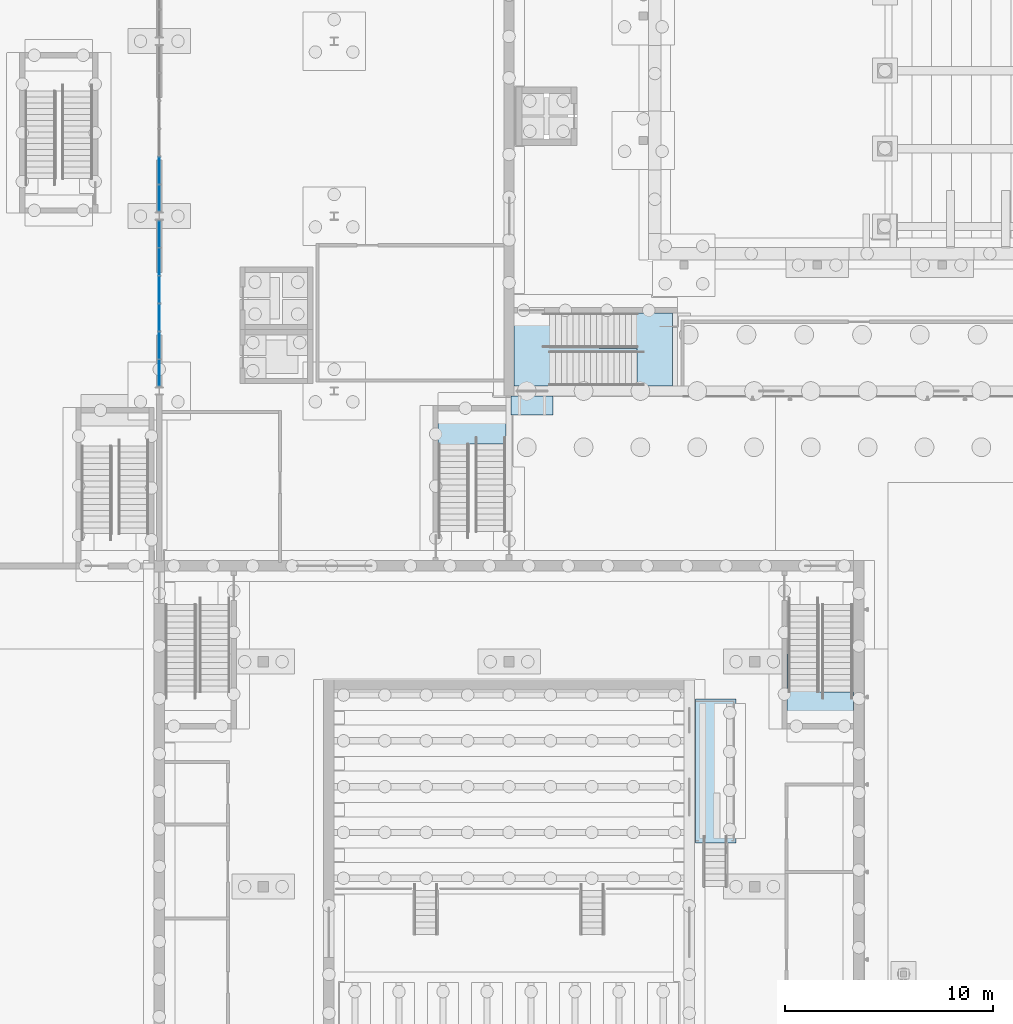
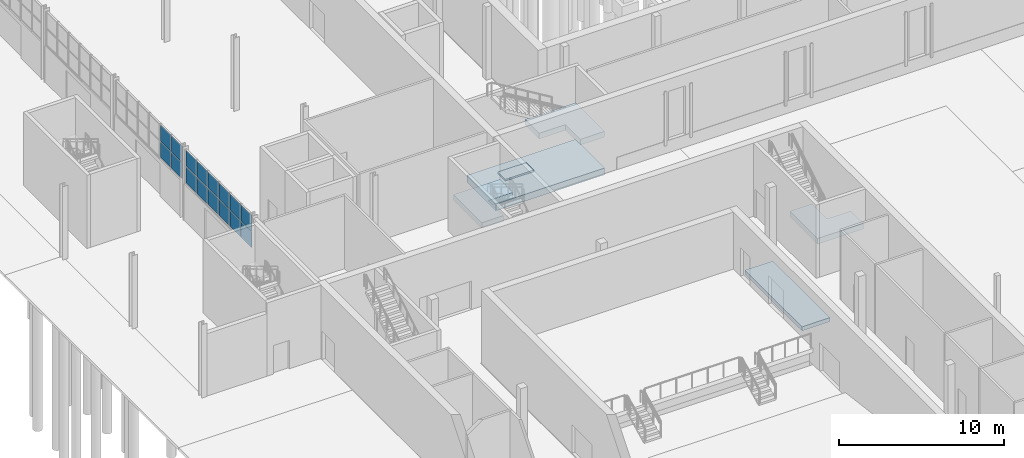
# One storey, part 47 of 127: 16 plates, 6 slabs, 5 elements without a shape of their own.
"""IFC4 building model written with IfcOpenShell, lengths in metres."""

from ifc_helpers import new_model, si_unit, direction, frame, origin, origin_2d, place, context, subcontext, project, spatial, polyline, rectangle, outline, extrude, material, layer, layer_set, type_object, element, aggregate, save


model = new_model("IFC4")

# Units and contexts
model_context = context("Model", 3, precision=1e-05, world=origin(), true_north=direction((0.0, 1.0)))
body_context = subcontext(model_context, "Body", "Model", "MODEL_VIEW")
ifc_project = project(units=[si_unit("LENGTHUNIT", "METRE"), si_unit("AREAUNIT", "SQUARE_METRE"), si_unit("VOLUMEUNIT", "CUBIC_METRE"), si_unit("PLANEANGLEUNIT", "RADIAN"), si_unit("MASSUNIT", "GRAM", prefix="KILO")], contexts=[model_context])

# Site, building, storey
site_placement = place(None, origin())
site = spatial("IfcSite", under=ifc_project, at=site_placement, CompositionType="ELEMENT")
building_placement = place(site_placement, origin())
building = spatial("IfcBuilding", under=site, at=building_placement, Name="Ljudholm Concert House", CompositionType="ELEMENT")
storey_placement = place(building_placement, origin())
storey = spatial("IfcBuildingStorey", under=building, at=storey_placement, Name="L00", CompositionType="ELEMENT", Elevation=0.0)

# Slab
ifc_material_1 = material(Name="Aluminium extrusion with warm-tone PVDF finish", Category="aluminium")
ifc_layer_1 = layer(ifc_material_1, 0.1201171875)
ifc_layer_set_1 = layer_set([ifc_layer_1], Name="Aluminium extrusion with warm-tone PVDF finish")
slab_type_1 = type_object("IfcSlabType", Name="CANOPY SOFFIT SLAB 120", PredefinedType="ROOF", material=ifc_layer_set_1)
slab_1_placement = place(storey_placement, frame((0.0, 0.0, 2.60009765625)))
element("IfcSlab", 1, at=slab_1_placement, inside=storey, type_object=slab_type_1, Name="Exit canopy lip", PredefinedType="ROOF", context=body_context, shape_type="SweptSolid", body=[
    extrude(outline(polyline([(29.300048828125, 53.25), (31.300048828125, 53.25), (31.300048828125, 54.14990234375), (29.300048828125, 54.14990234375), (29.300048828125, 53.25)])), origin(), (0.0, 0.0, 1.0), 0.119873046875),
])

# Curtain wall, plates
ifc_material_2 = material(Name="Aluminium curtain wall with impact-rated laminated glass", Category="aluminium")
curtain_wall_type = type_object("IfcCurtainWallType", Name="CURTAIN WALL 1400", PredefinedType="NOTDEFINED", material=ifc_material_2)
curtain_wall_1_placement = place(storey_placement, origin())
curtain_wall_1 = element("IfcCurtainWall", 2, at=curtain_wall_1_placement, inside=storey, type_object=curtain_wall_type, Name="Foyer curtain wall", PredefinedType="NOTDEFINED")
ifc_material_3 = material(Name="Impact-rated laminated glass", Category="glass")
ifc_layer_2 = layer(ifc_material_3, 0.028076171875)
ifc_layer_set_2 = layer_set([ifc_layer_2], Name="Impact-rated laminated glass")
plate_type = type_object("IfcPlateType", Name="CURTAIN PANEL 28", PredefinedType="CURTAIN_PANEL", material=ifc_layer_set_2)
plate_1_placement = place(storey_placement, frame((12.39990234375, 55.2705078125, 2.760009765625), z_axis=(0.0, 0.0, 1.0), x_axis=(0.0, 1.0, 0.0)))
plate_1 = element("IfcPlate", 3, at=plate_1_placement, type_object=plate_type, Name="Curtain wall panel", PredefinedType="CURTAIN_PANEL", context=body_context, shape_type="SweptSolid", body=[
    extrude(rectangle(XDim=1.247802734375, YDim=0.028076171875, at=origin_2d()), origin(), (0.0, 0.0, 1.0), 1.169921875),
])
plate_2_placement = place(storey_placement, frame((12.39990234375, 55.2705078125, 3.989990234375), z_axis=(0.0, 0.0, 1.0), x_axis=(0.0, 1.0, 0.0)))
plate_2 = element("IfcPlate", 4, at=plate_2_placement, type_object=plate_type, Name="Curtain wall panel", PredefinedType="CURTAIN_PANEL", context=body_context, shape_type="SweptSolid", body=[
    extrude(rectangle(XDim=1.247802734375, YDim=0.028076171875, at=origin_2d()), origin(), (0.0, 0.0, 1.0), 1.169921875),
])
plate_3_placement = place(storey_placement, frame((12.39990234375, 56.59326171875, 2.760009765625), z_axis=(0.0, 0.0, 1.0), x_axis=(0.0, 1.0, 0.0)))
plate_3 = element("IfcPlate", 5, at=plate_3_placement, type_object=plate_type, Name="Curtain wall panel", PredefinedType="CURTAIN_PANEL", context=body_context, shape_type="SweptSolid", body=[
    extrude(rectangle(XDim=1.27783203125, YDim=0.028076171875, at=origin_2d()), origin(), (0.0, 0.0, 1.0), 1.169921875),
])
plate_4_placement = place(storey_placement, frame((12.39990234375, 56.59326171875, 3.989990234375), z_axis=(0.0, 0.0, 1.0), x_axis=(0.0, 1.0, 0.0)))
plate_4 = element("IfcPlate", 6, at=plate_4_placement, type_object=plate_type, Name="Curtain wall panel", PredefinedType="CURTAIN_PANEL", context=body_context, shape_type="SweptSolid", body=[
    extrude(rectangle(XDim=1.27783203125, YDim=0.028076171875, at=origin_2d()), origin(), (0.0, 0.0, 1.0), 1.169921875),
])
plate_5_placement = place(storey_placement, frame((12.39990234375, 57.93115234375, 2.760009765625), z_axis=(0.0, 0.0, 1.0), x_axis=(0.0, 1.0, 0.0)))
plate_5 = element("IfcPlate", 7, at=plate_5_placement, type_object=plate_type, Name="Curtain wall panel", PredefinedType="CURTAIN_PANEL", context=body_context, shape_type="SweptSolid", body=[
    extrude(rectangle(XDim=1.27783203125, YDim=0.028076171875, at=origin_2d()), origin(), (0.0, 0.0, 1.0), 1.169921875),
])
plate_6_placement = place(storey_placement, frame((12.39990234375, 57.93115234375, 3.989990234375), z_axis=(0.0, 0.0, 1.0), x_axis=(0.0, 1.0, 0.0)))
plate_6 = element("IfcPlate", 8, at=plate_6_placement, type_object=plate_type, Name="Curtain wall panel", PredefinedType="CURTAIN_PANEL", context=body_context, shape_type="SweptSolid", body=[
    extrude(rectangle(XDim=1.27783203125, YDim=0.028076171875, at=origin_2d()), origin(), (0.0, 0.0, 1.0), 1.169921875),
])
plate_7_placement = place(storey_placement, frame((12.39990234375, 59.268798828125, 2.760009765625), z_axis=(0.0, 0.0, 1.0), x_axis=(0.0, 1.0, 0.0)))
plate_7 = element("IfcPlate", 9, at=plate_7_placement, type_object=plate_type, Name="Curtain wall panel", PredefinedType="CURTAIN_PANEL", context=body_context, shape_type="SweptSolid", body=[
    extrude(rectangle(XDim=1.27783203125, YDim=0.028076171875, at=origin_2d()), origin(), (0.0, 0.0, 1.0), 1.169921875),
])
plate_8_placement = place(storey_placement, frame((12.39990234375, 59.268798828125, 3.989990234375), z_axis=(0.0, 0.0, 1.0), x_axis=(0.0, 1.0, 0.0)))
plate_8 = element("IfcPlate", 10, at=plate_8_placement, type_object=plate_type, Name="Curtain wall panel", PredefinedType="CURTAIN_PANEL", context=body_context, shape_type="SweptSolid", body=[
    extrude(rectangle(XDim=1.27783203125, YDim=0.028076171875, at=origin_2d()), origin(), (0.0, 0.0, 1.0), 1.169921875),
])
plate_9_placement = place(storey_placement, frame((12.39990234375, 60.606689453125, 2.760009765625), z_axis=(0.0, 0.0, 1.0), x_axis=(0.0, 1.0, 0.0)))
plate_9 = element("IfcPlate", 11, at=plate_9_placement, type_object=plate_type, Name="Curtain wall panel", PredefinedType="CURTAIN_PANEL", context=body_context, shape_type="SweptSolid", body=[
    extrude(rectangle(XDim=1.27783203125, YDim=0.028076171875, at=origin_2d()), origin(), (0.0, 0.0, 1.0), 1.169921875),
])
plate_10_placement = place(storey_placement, frame((12.39990234375, 60.606689453125, 3.989990234375), z_axis=(0.0, 0.0, 1.0), x_axis=(0.0, 1.0, 0.0)))
plate_10 = element("IfcPlate", 12, at=plate_10_placement, type_object=plate_type, Name="Curtain wall panel", PredefinedType="CURTAIN_PANEL", context=body_context, shape_type="SweptSolid", body=[
    extrude(rectangle(XDim=1.27783203125, YDim=0.028076171875, at=origin_2d()), origin(), (0.0, 0.0, 1.0), 1.169921875),
])
plate_11_placement = place(storey_placement, frame((12.39990234375, 61.929443359375, 2.760009765625), z_axis=(0.0, 0.0, 1.0), x_axis=(0.0, 1.0, 0.0)))
plate_11 = element("IfcPlate", 13, at=plate_11_placement, type_object=plate_type, Name="Curtain wall panel", PredefinedType="CURTAIN_PANEL", context=body_context, shape_type="SweptSolid", body=[
    extrude(rectangle(XDim=1.247802734375, YDim=0.028076171875, at=origin_2d()), origin(), (0.0, 0.0, 1.0), 1.169921875),
])
plate_12_placement = place(storey_placement, frame((12.39990234375, 61.929443359375, 3.989990234375), z_axis=(0.0, 0.0, 1.0), x_axis=(0.0, 1.0, 0.0)))
plate_12 = element("IfcPlate", 14, at=plate_12_placement, type_object=plate_type, Name="Curtain wall panel", PredefinedType="CURTAIN_PANEL", context=body_context, shape_type="SweptSolid", body=[
    extrude(rectangle(XDim=1.247802734375, YDim=0.028076171875, at=origin_2d()), origin(), (0.0, 0.0, 1.0), 1.169921875),
])
aggregate(curtain_wall_1, [plate_1, plate_2, plate_3, plate_4, plate_5, plate_6, plate_7, plate_8, plate_9, plate_10, plate_11, plate_12])

curtain_wall_2_placement = place(storey_placement, origin())
curtain_wall_2 = element("IfcCurtainWall", 15, at=curtain_wall_2_placement, inside=storey, type_object=curtain_wall_type, Name="Foyer curtain wall", PredefinedType="NOTDEFINED")
plate_13_placement = place(storey_placement, frame((12.39990234375, 63.670654296875, 2.760009765625), z_axis=(0.0, 0.0, 1.0), x_axis=(0.0, 1.0, 0.0)))
plate_13 = element("IfcPlate", 16, at=plate_13_placement, type_object=plate_type, Name="Curtain wall panel", PredefinedType="CURTAIN_PANEL", context=body_context, shape_type="SweptSolid", body=[
    extrude(rectangle(XDim=1.247802734375, YDim=0.028076171875, at=origin_2d()), origin(), (0.0, 0.0, 1.0), 1.169921875),
])
plate_14_placement = place(storey_placement, frame((12.39990234375, 63.670654296875, 3.989990234375), z_axis=(0.0, 0.0, 1.0), x_axis=(0.0, 1.0, 0.0)))
plate_14 = element("IfcPlate", 17, at=plate_14_placement, type_object=plate_type, Name="Curtain wall panel", PredefinedType="CURTAIN_PANEL", context=body_context, shape_type="SweptSolid", body=[
    extrude(rectangle(XDim=1.247802734375, YDim=0.028076171875, at=origin_2d()), origin(), (0.0, 0.0, 1.0), 1.169921875),
])
plate_15_placement = place(storey_placement, frame((12.39990234375, 64.993408203125, 2.760009765625), z_axis=(0.0, 0.0, 1.0), x_axis=(0.0, 1.0, 0.0)))
plate_15 = element("IfcPlate", 18, at=plate_15_placement, type_object=plate_type, Name="Curtain wall panel", PredefinedType="CURTAIN_PANEL", context=body_context, shape_type="SweptSolid", body=[
    extrude(rectangle(XDim=1.27783203125, YDim=0.028076171875, at=origin_2d()), origin(), (0.0, 0.0, 1.0), 1.169921875),
])
plate_16_placement = place(storey_placement, frame((12.39990234375, 64.993408203125, 3.989990234375), z_axis=(0.0, 0.0, 1.0), x_axis=(0.0, 1.0, 0.0)))
plate_16 = element("IfcPlate", 19, at=plate_16_placement, type_object=plate_type, Name="Curtain wall panel", PredefinedType="CURTAIN_PANEL", context=body_context, shape_type="SweptSolid", body=[
    extrude(rectangle(XDim=1.27783203125, YDim=0.028076171875, at=origin_2d()), origin(), (0.0, 0.0, 1.0), 1.169921875),
])
aggregate(curtain_wall_2, [plate_13, plate_14, plate_15, plate_16])

# Slabs
ifc_material_4 = material(Name="Concrete 5,000 psi", Category="concrete")
ifc_layer_3 = layer(ifc_material_4, 0.5)
ifc_layer_set_3 = layer_set([ifc_layer_3], Name="Concrete 5,000 psi")
slab_type_2 = type_object("IfcSlabType", Name="RC BASE SLAB 500", PredefinedType="BASESLAB", material=ifc_layer_set_3)
slab_2_placement = place(storey_placement, frame((0.0, 0.0, -0.5)))
element("IfcSlab", 20, at=slab_2_placement, inside=storey, type_object=slab_type_2, Name="Stair floor on grade EH1", PredefinedType="BASESLAB", context=body_context, shape_type="SweptSolid", body=[
    extrude(outline(polyline([(29.449951171875, 54.64990234375), (37.050048828125, 54.64990234375), (37.050048828125, 58.14990234375), (29.449951171875, 58.14990234375), (29.449951171875, 54.64990234375)])), origin(), (0.0, 0.0, 1.0), 0.5),
])
ifc_material_5 = material(Name="Concrete 5,000 psi", Category="concrete")
ifc_layer_4 = layer(ifc_material_5, 0.300048828125)
ifc_layer_set_4 = layer_set([ifc_layer_4], Name="Concrete 5,000 psi")
slab_type_3 = type_object("IfcSlabType", Name="RC FLOOR SLAB 300", PredefinedType="FLOOR", material=ifc_layer_set_4)
slab_3_placement = place(storey_placement, frame((0.0, 0.0, 0.89990234375)))
element("IfcSlab", 21, at=slab_3_placement, inside=storey, type_object=slab_type_3, Name="Stage door landing", PredefinedType="FLOOR", context=body_context, shape_type="SweptSolid", body=[
    extrude(outline(polyline([(38.14990234375, 32.699951171875), (40.10009765625, 32.699951171875), (40.10009765625, 39.60009765625), (38.14990234375, 39.60009765625), (38.14990234375, 32.699951171875)])), origin(), (0.0, 0.0, 1.0), 0.300048828125),
])

# Stair, slab
ifc_material_6 = material(Name="Concrete 5,000 psi", Category="concrete")
stair_type_1 = type_object("IfcStairType", Name="RC STAIR 1700x169x280", PredefinedType="HALF_TURN_STAIR", material=ifc_material_6)
stair_1_placement = place(storey_placement, origin())
stair_1 = element("IfcStair", 22, at=stair_1_placement, inside=storey, type_object=stair_type_1, Name="Exit stair EH1", PredefinedType="HALF_TURN_STAIR")
ifc_material_7 = material(Name="Concrete 5,000 psi", Category="concrete")
ifc_layer_5 = layer(ifc_material_7, 0.409912109375)
ifc_layer_set_5 = layer_set([ifc_layer_5], Name="Concrete 5,000 psi")
slab_type_4 = type_object("IfcSlabType", Name="RC LANDING 410", PredefinedType="LANDING", material=ifc_layer_set_5)
slab_4_placement = place(storey_placement, frame((0.0, 0.0, 2.2900390625)))
slab_4 = element("IfcSlab", 23, at=slab_4_placement, type_object=slab_type_4, Name="Stair landing", PredefinedType="LANDING", context=body_context, shape_type="SweptSolid", body=[
    extrude(outline(polyline([(33.52001953125, 58.14990234375), (33.52001953125, 56.449951171875), (35.349609375, 56.449951171875), (35.349609375, 54.64990234375), (37.050048828125, 54.64990234375), (37.050048828125, 58.14990234375), (33.52001953125, 58.14990234375)])), origin(), (0.0, 0.0, 1.0), 0.409912109375),
])
aggregate(stair_1, [slab_4])

ifc_material_8 = material(Name="Concrete 5,000 psi", Category="concrete")
stair_type_2 = type_object("IfcStairType", Name="RC STAIR 1500x169x280", PredefinedType="HALF_TURN_STAIR", material=ifc_material_8)
stair_2_placement = place(storey_placement, origin())
stair_2 = element("IfcStair", 24, at=stair_2_placement, inside=storey, type_object=stair_type_2, Name="Exit stair EC3", PredefinedType="HALF_TURN_STAIR")
slab_5_placement = place(storey_placement, frame((0.0, 0.0, 2.2900390625)))
slab_5 = element("IfcSlab", 25, at=slab_5_placement, type_object=slab_type_4, Name="Stair landing", PredefinedType="LANDING", context=body_context, shape_type="SweptSolid", body=[
    extrude(outline(polyline([(42.550048828125, 38.429931640625), (45.75, 38.429931640625), (45.75, 39.950439453125), (44.10009765625, 39.950439453125), (44.10009765625, 41.780029296875), (42.550048828125, 41.780029296875), (42.550048828125, 38.429931640625)])), origin(), (0.0, 0.0, 1.0), 0.409912109375),
])
aggregate(stair_2, [slab_5])

stair_3_placement = place(storey_placement, origin())
stair_3 = element("IfcStair", 26, at=stair_3_placement, inside=storey, type_object=stair_type_2, Name="Stair", PredefinedType="HALF_TURN_STAIR")
slab_6_placement = place(storey_placement, frame((0.0, 0.0, 2.2900390625)))
slab_6 = element("IfcSlab", 27, at=slab_6_placement, type_object=slab_type_4, Name="Stair landing", PredefinedType="LANDING", context=body_context, shape_type="SweptSolid", body=[
    extrude(outline(polyline([(25.800048828125, 50.02001953125), (27.300048828125, 50.02001953125), (27.300048828125, 51.849609375), (29.050048828125, 51.849609375), (29.050048828125, 53.449951171875), (25.800048828125, 53.449951171875), (25.800048828125, 50.02001953125)])), origin(), (0.0, 0.0, 1.0), 0.409912109375),
])
aggregate(stair_3, [slab_6])

save(model, "model.ifc")
